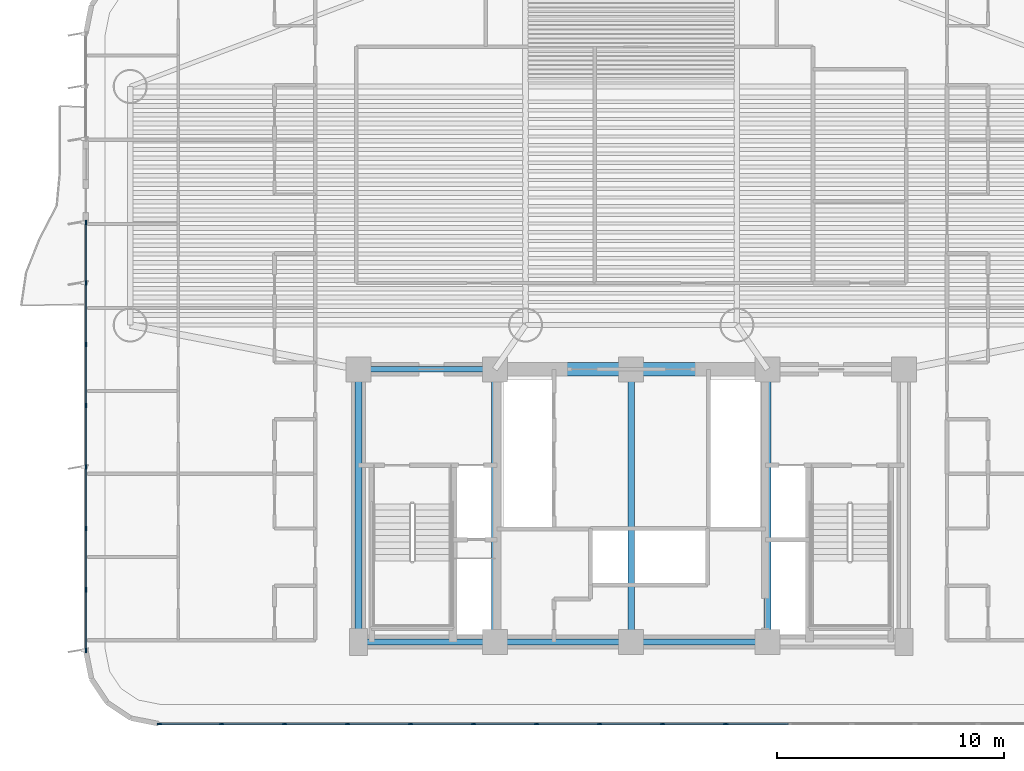
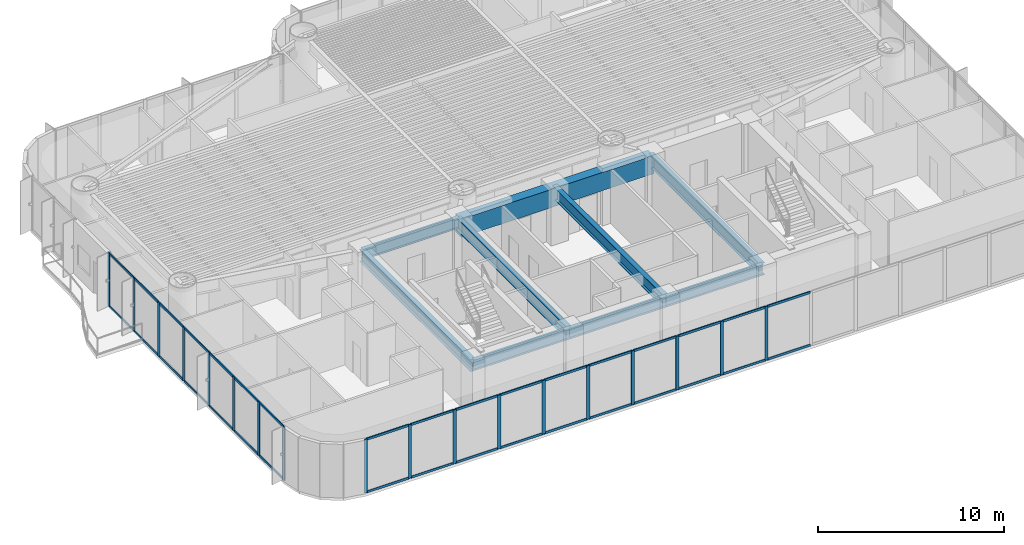
# One storey, part 2 of 19: 52 members, 9 beams, 2 elements without a shape of their own.
"""IFC4 building model written with IfcOpenShell, lengths in metres."""

from ifc_helpers import new_model, si_unit, direction, frame, origin, origin_2d, place, context, subcontext, project, spatial, rectangle, i_section, extrude, source, transform, mapped, material, layer, layer_set, material_profile, profile_set, type_object, element, aggregate, save


model = new_model("IFC4")

# Units and contexts
model_context = context("Model", 3, precision=1e-05, world=origin(), true_north=direction((0.0, 1.0)))
body_context = subcontext(model_context, "Body", "Model", "MODEL_VIEW")
ifc_project = project(units=[si_unit("LENGTHUNIT", "METRE"), si_unit("AREAUNIT", "SQUARE_METRE"), si_unit("VOLUMEUNIT", "CUBIC_METRE"), si_unit("PLANEANGLEUNIT", "RADIAN"), si_unit("MASSUNIT", "GRAM", prefix="KILO")], contexts=[model_context])

# Site, building, storey
site_placement = place(None, origin())
site = spatial("IfcSite", under=ifc_project, at=site_placement, CompositionType="ELEMENT")
building_placement = place(site_placement, origin())
building = spatial("IfcBuilding", under=site, at=building_placement, Name="Brelvock Crest Care Tower", CompositionType="ELEMENT")
storey_placement = place(building_placement, frame((0.0, 0.0, 30.780029296875)))
storey = spatial("IfcBuildingStorey", under=building, at=storey_placement, Name="L07", CompositionType="ELEMENT", Elevation=30.780029296875)

# Beams
ifc_material_1 = material(Name="Concrete S80 (80 MPa)", Category="concrete")
ifc_material_profile_1 = material_profile(ifc_material_1, rectangle(XDim=0.60009765625, YDim=1.199951171875, at=origin_2d()), Name="RC600x1200")
ifc_profile_set_1 = profile_set([ifc_material_profile_1], Name="Concrete S80 (80 MPa)")
beam_type_1 = type_object("IfcBeamType", Name="BM-LN1", PredefinedType="LINTEL", material=ifc_profile_set_1)
shared_shape_1 = source(origin(), body_context, "Body", "SweptSolid", [
    extrude(rectangle(XDim=0.60009765625, YDim=1.199951171875, at=origin_2d()), origin(), (0.0, 0.0, 1.0), 12.0),
])
beam_placement = place(storey_placement, frame((30.0, 18.0, 2.929931640625), z_axis=(1.0, 0.0, 0.0), x_axis=(0.0, 1.0, 0.0)))
element("IfcBeam", 1, at=beam_placement, inside=storey, type_object=beam_type_1, Name="L07 Core Coupling Lintel Beam", PredefinedType="LINTEL", context=body_context, shape_type="MappedRepresentation", body=[
    mapped(shared_shape_1, transform((0.0, 0.0, 0.0), x_axis=(1.0, 0.0, 0.0), y_axis=(0.0, 1.0, 0.0), z_axis=(0.0, 0.0, 1.0), scale=1.0)),
])
ifc_material_2 = material(Name="Steel Grade 350", Category="steel")
ifc_material_profile_2 = material_profile(ifc_material_2, i_section(OverallWidth=0.25, OverallDepth=0.699951171875, WebThickness=0.011962890625, FlangeThickness=0.02001953125, at=origin_2d()), Name="700WB150")
ifc_profile_set_2 = profile_set([ifc_material_profile_2], Name="Steel Grade 350")
beam_type_2 = type_object("IfcBeamType", Name="BM-G4", PredefinedType="BEAM", material=ifc_profile_set_2)
shared_shape_2 = source(origin(), body_context, "Body", "SweptSolid", [
    extrude(i_section(OverallWidth=0.25, OverallDepth=0.699951171875, WebThickness=0.011962890625, FlangeThickness=0.02001953125, at=origin_2d()), origin(), (0.0, 0.0, 1.0), 6.0),
])
for number, where, z_axis, x_axis, name in (
    (2, (24.0, 6.0, 3.179931640625), (1.0, 0.0, 0.0), (0.0, 1.0, 0.0), "BM-CORES-L07-1"),
    (3, (24.0, 18.0, 3.179931640625), (1.0, 0.0, 0.0), (0.0, 1.0, 0.0), "BM-COREN-L07-1"),
    (4, (30.0, 6.0, 3.179931640625), (1.0, 0.0, 0.0), (0.0, 1.0, 0.0), "BM-CORES-L07-2"),
    (5, (36.0, 6.0, 3.179931640625), (1.0, 0.0, 0.0), (0.0, 1.0, 0.0), "BM-CORES-L07-3"),
):
    element("IfcBeam", number, at=place(storey_placement, frame(where, z_axis=z_axis, x_axis=x_axis)), inside=storey, type_object=beam_type_2, Name=name, PredefinedType="BEAM", context=body_context, shape_type="MappedRepresentation", body=[
        mapped(shared_shape_2, transform((0.0, 0.0, 0.0), x_axis=(1.0, 0.0, 0.0), y_axis=(0.0, 1.0, 0.0), z_axis=(0.0, 0.0, 1.0), scale=1.0)),
    ])
ifc_material_profile_3 = material_profile(ifc_material_2, i_section(OverallWidth=0.300048828125, OverallDepth=0.800048828125, WebThickness=0.013916015625, FlangeThickness=0.02197265625, at=origin_2d()), Name="800WB192")
ifc_profile_set_3 = profile_set([ifc_material_profile_3], Name="Steel Grade 350")
beam_type_3 = type_object("IfcBeamType", Name="BM-G5", PredefinedType="BEAM", material=ifc_profile_set_3)
shared_shape_3 = source(origin(), body_context, "Body", "SweptSolid", [
    extrude(i_section(OverallWidth=0.300048828125, OverallDepth=0.800048828125, WebThickness=0.013916015625, FlangeThickness=0.02197265625, at=origin_2d()), origin(), (0.0, 0.0, 1.0), 12.0),
])
for number, where, z_axis, x_axis, name in (
    (6, (24.0, 6.0, 3.1298828125), (0.0, 1.0, 0.0), (-1.0, 0.0, 0.0), "BM-COREX-L07-1"),
    (7, (30.0, 6.0, 3.1298828125), (0.0, 1.0, 0.0), (-1.0, 0.0, 0.0), "BM-COREX-L07-2"),
    (8, (36.0, 6.0, 3.1298828125), (0.0, 1.0, 0.0), (-1.0, 0.0, 0.0), "BM-COREX-L07-3"),
    (9, (42.0, 6.0, 3.1298828125), (0.0, 1.0, 0.0), (-1.0, 0.0, 0.0), "BM-COREX-L07-4"),
):
    element("IfcBeam", number, at=place(storey_placement, frame(where, z_axis=z_axis, x_axis=x_axis)), inside=storey, type_object=beam_type_3, Name=name, PredefinedType="BEAM", context=body_context, shape_type="MappedRepresentation", body=[
        mapped(shared_shape_3, transform((0.0, 0.0, 0.0), x_axis=(1.0, 0.0, 0.0), y_axis=(0.0, 1.0, 0.0), z_axis=(0.0, 0.0, 1.0), scale=1.0)),
    ])

# Curtain wall, members
ifc_material_3 = material(Name="Dark Glass Double Glazed Low-E", Category="glass")
ifc_layer = layer(ifc_material_3, 0.195068359375, Name="CWS-2")
ifc_layer_set = layer_set([ifc_layer], Name="Dark Glass Double Glazed Low-E")
curtain_wall_type = type_object("IfcCurtainWallType", Name="CWS-2", PredefinedType="NOTDEFINED", material=ifc_layer_set)
curtain_wall_1_placement = place(storey_placement, origin())
curtain_wall_1 = element("IfcCurtainWall", 10, at=curtain_wall_1_placement, inside=storey, type_object=curtain_wall_type, Name="L07 Curtain Wall E08", PredefinedType="NOTDEFINED")
ifc_material_4 = material(Name="Aluminium 6063-T6", Category="aluminium")
ifc_material_profile_4 = material_profile(ifc_material_4, rectangle(XDim=0.06494140625, YDim=0.199951171875, at=origin_2d()), Name="ALU65x200")
ifc_profile_set_4 = profile_set([ifc_material_profile_4], Name="Aluminium 6063-T6")
member_type_1 = type_object("IfcMemberType", Name="CWM-1", PredefinedType="MULLION", material=ifc_profile_set_4)
shared_shape_4 = source(origin(), body_context, "Body", "SweptSolid", [
    extrude(rectangle(XDim=0.06494140625, YDim=0.199951171875, at=origin_2d()), origin(), (0.0, 0.0, 1.0), 3.530029296875),
])
member_1_placement = place(storey_placement, frame((40.159912109375, 2.39990234375, 0.0), z_axis=(0.0, 0.0, 1.0), x_axis=(0.0, -1.0, 0.0)))
member_1 = element("IfcMember", 11, at=member_1_placement, type_object=member_type_1, Name="CW-2 mullion 7", PredefinedType="MULLION", context=body_context, shape_type="MappedRepresentation", body=[
    mapped(shared_shape_4, transform((0.0, 0.0, 0.0), x_axis=(1.0, 0.0, 0.0), y_axis=(0.0, 1.0, 0.0), z_axis=(0.0, 0.0, 1.0), scale=1.0)),
])
member_2_placement = place(storey_placement, frame((37.38671875, 2.39990234375, 0.0), z_axis=(0.0, 0.0, 1.0), x_axis=(0.0, -1.0, 0.0)))
member_2 = element("IfcMember", 12, at=member_2_placement, type_object=member_type_1, Name="CW-2 mullion 8", PredefinedType="MULLION", context=body_context, shape_type="MappedRepresentation", body=[
    mapped(shared_shape_4, transform((0.0, 0.0, 0.0), x_axis=(1.0, 0.0, 0.0), y_axis=(0.0, 1.0, 0.0), z_axis=(0.0, 0.0, 1.0), scale=1.0)),
])
member_3_placement = place(storey_placement, frame((34.61328125, 2.39990234375, 0.0), z_axis=(0.0, 0.0, 1.0), x_axis=(0.0, -1.0, 0.0)))
member_3 = element("IfcMember", 13, at=member_3_placement, type_object=member_type_1, Name="CW-2 mullion 9", PredefinedType="MULLION", context=body_context, shape_type="MappedRepresentation", body=[
    mapped(shared_shape_4, transform((0.0, 0.0, 0.0), x_axis=(1.0, 0.0, 0.0), y_axis=(0.0, 1.0, 0.0), z_axis=(0.0, 0.0, 1.0), scale=1.0)),
])
member_4_placement = place(storey_placement, frame((31.840087890625, 2.39990234375, 0.0), z_axis=(0.0, 0.0, 1.0), x_axis=(0.0, -1.0, 0.0)))
member_4 = element("IfcMember", 14, at=member_4_placement, type_object=member_type_1, Name="CW-2 mullion 10", PredefinedType="MULLION", context=body_context, shape_type="MappedRepresentation", body=[
    mapped(shared_shape_4, transform((0.0, 0.0, 0.0), x_axis=(1.0, 0.0, 0.0), y_axis=(0.0, 1.0, 0.0), z_axis=(0.0, 0.0, 1.0), scale=1.0)),
])
member_5_placement = place(storey_placement, frame((29.066650390625, 2.39990234375, 0.0), z_axis=(0.0, 0.0, 1.0), x_axis=(0.0, -1.0, 0.0)))
member_5 = element("IfcMember", 15, at=member_5_placement, type_object=member_type_1, Name="CW-2 mullion 11", PredefinedType="MULLION", context=body_context, shape_type="MappedRepresentation", body=[
    mapped(shared_shape_4, transform((0.0, 0.0, 0.0), x_axis=(1.0, 0.0, 0.0), y_axis=(0.0, 1.0, 0.0), z_axis=(0.0, 0.0, 1.0), scale=1.0)),
])
member_6_placement = place(storey_placement, frame((26.293212890625, 2.39990234375, 0.0), z_axis=(0.0, 0.0, 1.0), x_axis=(0.0, -1.0, 0.0)))
member_6 = element("IfcMember", 16, at=member_6_placement, type_object=member_type_1, Name="CW-2 mullion 12", PredefinedType="MULLION", context=body_context, shape_type="MappedRepresentation", body=[
    mapped(shared_shape_4, transform((0.0, 0.0, 0.0), x_axis=(1.0, 0.0, 0.0), y_axis=(0.0, 1.0, 0.0), z_axis=(0.0, 0.0, 1.0), scale=1.0)),
])
member_7_placement = place(storey_placement, frame((23.52001953125, 2.39990234375, 0.0), z_axis=(0.0, 0.0, 1.0), x_axis=(0.0, -1.0, 0.0)))
member_7 = element("IfcMember", 17, at=member_7_placement, type_object=member_type_1, Name="CW-2 mullion 13", PredefinedType="MULLION", context=body_context, shape_type="MappedRepresentation", body=[
    mapped(shared_shape_4, transform((0.0, 0.0, 0.0), x_axis=(1.0, 0.0, 0.0), y_axis=(0.0, 1.0, 0.0), z_axis=(0.0, 0.0, 1.0), scale=1.0)),
])
member_8_placement = place(storey_placement, frame((20.74658203125, 2.39990234375, 0.0), z_axis=(0.0, 0.0, 1.0), x_axis=(0.0, -1.0, 0.0)))
member_8 = element("IfcMember", 18, at=member_8_placement, type_object=member_type_1, Name="CW-2 mullion 14", PredefinedType="MULLION", context=body_context, shape_type="MappedRepresentation", body=[
    mapped(shared_shape_4, transform((0.0, 0.0, 0.0), x_axis=(1.0, 0.0, 0.0), y_axis=(0.0, 1.0, 0.0), z_axis=(0.0, 0.0, 1.0), scale=1.0)),
])
member_9_placement = place(storey_placement, frame((17.973388671875, 2.39990234375, 0.0), z_axis=(0.0, 0.0, 1.0), x_axis=(0.0, -1.0, 0.0)))
member_9 = element("IfcMember", 19, at=member_9_placement, type_object=member_type_1, Name="CW-2 mullion 15", PredefinedType="MULLION", context=body_context, shape_type="MappedRepresentation", body=[
    mapped(shared_shape_4, transform((0.0, 0.0, 0.0), x_axis=(1.0, 0.0, 0.0), y_axis=(0.0, 1.0, 0.0), z_axis=(0.0, 0.0, 1.0), scale=1.0)),
])
member_10_placement = place(storey_placement, frame((15.232421875, 2.39990234375, 0.0), z_axis=(0.0, 0.0, 1.0), x_axis=(0.0, -1.0, 0.0)))
member_10 = element("IfcMember", 20, at=member_10_placement, type_object=member_type_1, Name="CW-2 mullion 16", PredefinedType="MULLION", context=body_context, shape_type="MappedRepresentation", body=[
    mapped(shared_shape_4, transform((0.0, 0.0, 0.0), x_axis=(1.0, 0.0, 0.0), y_axis=(0.0, 1.0, 0.0), z_axis=(0.0, 0.0, 1.0), scale=1.0)),
])

curtain_wall_2_placement = place(storey_placement, origin())
curtain_wall_2 = element("IfcCurtainWall", 21, at=curtain_wall_2_placement, inside=storey, type_object=curtain_wall_type, Name="L07 Curtain Wall E13A", PredefinedType="NOTDEFINED")
member_11_placement = place(storey_placement, frame((12.0, 5.632568359375, 0.0), z_axis=(0.0, 0.0, 1.0), x_axis=(-1.0, 0.0, 0.0)))
member_11 = element("IfcMember", 22, at=member_11_placement, type_object=member_type_1, Name="CW-2 mullion 1", PredefinedType="MULLION", context=body_context, shape_type="MappedRepresentation", body=[
    mapped(shared_shape_4, transform((0.0, 0.0, 0.0), x_axis=(1.0, 0.0, 0.0), y_axis=(0.0, 1.0, 0.0), z_axis=(0.0, 0.0, 1.0), scale=1.0)),
])
member_12_placement = place(storey_placement, frame((12.0, 8.300048828125, 0.0), z_axis=(0.0, 0.0, 1.0), x_axis=(-1.0, 0.0, 0.0)))
member_12 = element("IfcMember", 23, at=member_12_placement, type_object=member_type_1, Name="CW-2 mullion 2", PredefinedType="MULLION", context=body_context, shape_type="MappedRepresentation", body=[
    mapped(shared_shape_4, transform((0.0, 0.0, 0.0), x_axis=(1.0, 0.0, 0.0), y_axis=(0.0, 1.0, 0.0), z_axis=(0.0, 0.0, 1.0), scale=1.0)),
])
member_13_placement = place(storey_placement, frame((12.0, 11.0, 0.0), z_axis=(0.0, 0.0, 1.0), x_axis=(-1.0, 0.0, 0.0)))
member_13 = element("IfcMember", 24, at=member_13_placement, type_object=member_type_1, Name="CW-2 mullion 3", PredefinedType="MULLION", context=body_context, shape_type="MappedRepresentation", body=[
    mapped(shared_shape_4, transform((0.0, 0.0, 0.0), x_axis=(1.0, 0.0, 0.0), y_axis=(0.0, 1.0, 0.0), z_axis=(0.0, 0.0, 1.0), scale=1.0)),
])
member_14_placement = place(storey_placement, frame((12.0, 13.699951171875, 0.0), z_axis=(0.0, 0.0, 1.0), x_axis=(-1.0, 0.0, 0.0)))
member_14 = element("IfcMember", 25, at=member_14_placement, type_object=member_type_1, Name="CW-2 mullion 4", PredefinedType="MULLION", context=body_context, shape_type="MappedRepresentation", body=[
    mapped(shared_shape_4, transform((0.0, 0.0, 0.0), x_axis=(1.0, 0.0, 0.0), y_axis=(0.0, 1.0, 0.0), z_axis=(0.0, 0.0, 1.0), scale=1.0)),
])
member_15_placement = place(storey_placement, frame((12.0, 16.39990234375, 0.0), z_axis=(0.0, 0.0, 1.0), x_axis=(-1.0, 0.0, 0.0)))
member_15 = element("IfcMember", 26, at=member_15_placement, type_object=member_type_1, Name="CW-2 mullion 5", PredefinedType="MULLION", context=body_context, shape_type="MappedRepresentation", body=[
    mapped(shared_shape_4, transform((0.0, 0.0, 0.0), x_axis=(1.0, 0.0, 0.0), y_axis=(0.0, 1.0, 0.0), z_axis=(0.0, 0.0, 1.0), scale=1.0)),
])
member_16_placement = place(storey_placement, frame((12.0, 19.10009765625, 0.0), z_axis=(0.0, 0.0, 1.0), x_axis=(-1.0, 0.0, 0.0)))
member_16 = element("IfcMember", 27, at=member_16_placement, type_object=member_type_1, Name="CW-2 mullion 6", PredefinedType="MULLION", context=body_context, shape_type="MappedRepresentation", body=[
    mapped(shared_shape_4, transform((0.0, 0.0, 0.0), x_axis=(1.0, 0.0, 0.0), y_axis=(0.0, 1.0, 0.0), z_axis=(0.0, 0.0, 1.0), scale=1.0)),
])
member_17_placement = place(storey_placement, frame((12.0, 21.800048828125, 0.0), z_axis=(0.0, 0.0, 1.0), x_axis=(-1.0, 0.0, 0.0)))
member_17 = element("IfcMember", 28, at=member_17_placement, type_object=member_type_1, Name="CW-2 mullion 7", PredefinedType="MULLION", context=body_context, shape_type="MappedRepresentation", body=[
    mapped(shared_shape_4, transform((0.0, 0.0, 0.0), x_axis=(1.0, 0.0, 0.0), y_axis=(0.0, 1.0, 0.0), z_axis=(0.0, 0.0, 1.0), scale=1.0)),
])
member_18_placement = place(storey_placement, frame((12.0, 24.467529296875, 0.0), z_axis=(0.0, 0.0, 1.0), x_axis=(-1.0, 0.0, 0.0)))
member_18 = element("IfcMember", 29, at=member_18_placement, type_object=member_type_1, Name="CW-2 mullion 8", PredefinedType="MULLION", context=body_context, shape_type="MappedRepresentation", body=[
    mapped(shared_shape_4, transform((0.0, 0.0, 0.0), x_axis=(1.0, 0.0, 0.0), y_axis=(0.0, 1.0, 0.0), z_axis=(0.0, 0.0, 1.0), scale=1.0)),
])

# Member
ifc_material_profile_5 = material_profile(ifc_material_4, rectangle(XDim=0.06494140625, YDim=0.14990234375, at=origin_2d()), Name="ALU65x150")
ifc_profile_set_5 = profile_set([ifc_material_profile_5], Name="Aluminium 6063-T6")
member_type_2 = type_object("IfcMemberType", Name="CWT-1", PredefinedType="USERDEFINED", material=ifc_profile_set_5)
shared_shape_5 = source(origin(), body_context, "Body", "SweptSolid", [
    extrude(rectangle(XDim=0.06494140625, YDim=0.14990234375, at=origin_2d()), origin(), (0.0, 0.0, 1.0), 2.676025390625),
])
member_19_placement = place(storey_placement, frame((17.94091796875, 2.39990234375, 0.032470703125), z_axis=(-1.0, 0.0, 0.0), x_axis=(0.0, -1.0, 0.0)))
member_19 = element("IfcMember", 30, at=member_19_placement, type_object=member_type_2, Name="CW-2 transom 15.1", ObjectType="TRANSOM", PredefinedType="USERDEFINED", context=body_context, shape_type="MappedRepresentation", body=[
    mapped(shared_shape_5, transform((0.0, 0.0, 0.0), x_axis=(1.0, 0.0, 0.0), y_axis=(0.0, 1.0, 0.0), z_axis=(0.0, 0.0, 1.0), scale=1.0)),
])

member_20_placement = place(storey_placement, frame((17.94091796875, 2.39990234375, 3.49755859375), z_axis=(-1.0, 0.0, 0.0), x_axis=(0.0, -1.0, 0.0)))
member_20 = element("IfcMember", 31, at=member_20_placement, type_object=member_type_2, Name="CW-2 transom 15.2", ObjectType="TRANSOM", PredefinedType="USERDEFINED", context=body_context, shape_type="MappedRepresentation", body=[
    mapped(shared_shape_5, transform((0.0, 0.0, 0.0), x_axis=(1.0, 0.0, 0.0), y_axis=(0.0, 1.0, 0.0), z_axis=(0.0, 0.0, 1.0), scale=1.0)),
])

shared_shape_6 = source(origin(), body_context, "Body", "SweptSolid", [
    extrude(rectangle(XDim=0.06494140625, YDim=0.14990234375, at=origin_2d()), origin(), (0.0, 0.0, 1.0), 2.708251953125),
])
member_21_placement = place(storey_placement, frame((40.12744140625, 2.39990234375, 0.032470703125), z_axis=(-1.0, 0.0, 0.0), x_axis=(0.0, -1.0, 0.0)))
member_21 = element("IfcMember", 32, at=member_21_placement, type_object=member_type_2, Name="CW-2 transom 7.1", ObjectType="TRANSOM", PredefinedType="USERDEFINED", context=body_context, shape_type="MappedRepresentation", body=[
    mapped(shared_shape_6, transform((0.0, 0.0, 0.0), x_axis=(1.0, 0.0, 0.0), y_axis=(0.0, 1.0, 0.0), z_axis=(0.0, 0.0, 1.0), scale=1.0)),
])

member_22_placement = place(storey_placement, frame((40.12744140625, 2.39990234375, 3.49755859375), z_axis=(-1.0, 0.0, 0.0), x_axis=(0.0, -1.0, 0.0)))
member_22 = element("IfcMember", 33, at=member_22_placement, type_object=member_type_2, Name="CW-2 transom 7.2", ObjectType="TRANSOM", PredefinedType="USERDEFINED", context=body_context, shape_type="MappedRepresentation", body=[
    mapped(shared_shape_6, transform((0.0, 0.0, 0.0), x_axis=(1.0, 0.0, 0.0), y_axis=(0.0, 1.0, 0.0), z_axis=(0.0, 0.0, 1.0), scale=1.0)),
])

member_23_placement = place(storey_placement, frame((34.580810546875, 2.39990234375, 0.032470703125), z_axis=(-1.0, 0.0, 0.0), x_axis=(0.0, -1.0, 0.0)))
member_23 = element("IfcMember", 34, at=member_23_placement, type_object=member_type_2, Name="CW-2 transom 9.1", ObjectType="TRANSOM", PredefinedType="USERDEFINED", context=body_context, shape_type="MappedRepresentation", body=[
    mapped(shared_shape_6, transform((0.0, 0.0, 0.0), x_axis=(1.0, 0.0, 0.0), y_axis=(0.0, 1.0, 0.0), z_axis=(0.0, 0.0, 1.0), scale=1.0)),
])

member_24_placement = place(storey_placement, frame((34.580810546875, 2.39990234375, 3.49755859375), z_axis=(-1.0, 0.0, 0.0), x_axis=(0.0, -1.0, 0.0)))
member_24 = element("IfcMember", 35, at=member_24_placement, type_object=member_type_2, Name="CW-2 transom 9.2", ObjectType="TRANSOM", PredefinedType="USERDEFINED", context=body_context, shape_type="MappedRepresentation", body=[
    mapped(shared_shape_6, transform((0.0, 0.0, 0.0), x_axis=(1.0, 0.0, 0.0), y_axis=(0.0, 1.0, 0.0), z_axis=(0.0, 0.0, 1.0), scale=1.0)),
])

member_25_placement = place(storey_placement, frame((29.0341796875, 2.39990234375, 0.032470703125), z_axis=(-1.0, 0.0, 0.0), x_axis=(0.0, -1.0, 0.0)))
member_25 = element("IfcMember", 36, at=member_25_placement, type_object=member_type_2, Name="CW-2 transom 11.1", ObjectType="TRANSOM", PredefinedType="USERDEFINED", context=body_context, shape_type="MappedRepresentation", body=[
    mapped(shared_shape_6, transform((0.0, 0.0, 0.0), x_axis=(1.0, 0.0, 0.0), y_axis=(0.0, 1.0, 0.0), z_axis=(0.0, 0.0, 1.0), scale=1.0)),
])

member_26_placement = place(storey_placement, frame((29.0341796875, 2.39990234375, 3.49755859375), z_axis=(-1.0, 0.0, 0.0), x_axis=(0.0, -1.0, 0.0)))
member_26 = element("IfcMember", 37, at=member_26_placement, type_object=member_type_2, Name="CW-2 transom 11.2", ObjectType="TRANSOM", PredefinedType="USERDEFINED", context=body_context, shape_type="MappedRepresentation", body=[
    mapped(shared_shape_6, transform((0.0, 0.0, 0.0), x_axis=(1.0, 0.0, 0.0), y_axis=(0.0, 1.0, 0.0), z_axis=(0.0, 0.0, 1.0), scale=1.0)),
])

member_27_placement = place(storey_placement, frame((26.2607421875, 2.39990234375, 0.032470703125), z_axis=(-1.0, 0.0, 0.0), x_axis=(0.0, -1.0, 0.0)))
member_27 = element("IfcMember", 38, at=member_27_placement, type_object=member_type_2, Name="CW-2 transom 12.1", ObjectType="TRANSOM", PredefinedType="USERDEFINED", context=body_context, shape_type="MappedRepresentation", body=[
    mapped(shared_shape_6, transform((0.0, 0.0, 0.0), x_axis=(1.0, 0.0, 0.0), y_axis=(0.0, 1.0, 0.0), z_axis=(0.0, 0.0, 1.0), scale=1.0)),
])

member_28_placement = place(storey_placement, frame((26.2607421875, 2.39990234375, 3.49755859375), z_axis=(-1.0, 0.0, 0.0), x_axis=(0.0, -1.0, 0.0)))
member_28 = element("IfcMember", 39, at=member_28_placement, type_object=member_type_2, Name="CW-2 transom 12.2", ObjectType="TRANSOM", PredefinedType="USERDEFINED", context=body_context, shape_type="MappedRepresentation", body=[
    mapped(shared_shape_6, transform((0.0, 0.0, 0.0), x_axis=(1.0, 0.0, 0.0), y_axis=(0.0, 1.0, 0.0), z_axis=(0.0, 0.0, 1.0), scale=1.0)),
])

member_29_placement = place(storey_placement, frame((20.714111328125, 2.39990234375, 0.032470703125), z_axis=(-1.0, 0.0, 0.0), x_axis=(0.0, -1.0, 0.0)))
member_29 = element("IfcMember", 40, at=member_29_placement, type_object=member_type_2, Name="CW-2 transom 14.1", ObjectType="TRANSOM", PredefinedType="USERDEFINED", context=body_context, shape_type="MappedRepresentation", body=[
    mapped(shared_shape_6, transform((0.0, 0.0, 0.0), x_axis=(1.0, 0.0, 0.0), y_axis=(0.0, 1.0, 0.0), z_axis=(0.0, 0.0, 1.0), scale=1.0)),
])

member_30_placement = place(storey_placement, frame((20.714111328125, 2.39990234375, 3.49755859375), z_axis=(-1.0, 0.0, 0.0), x_axis=(0.0, -1.0, 0.0)))
member_30 = element("IfcMember", 41, at=member_30_placement, type_object=member_type_2, Name="CW-2 transom 14.2", ObjectType="TRANSOM", PredefinedType="USERDEFINED", context=body_context, shape_type="MappedRepresentation", body=[
    mapped(shared_shape_6, transform((0.0, 0.0, 0.0), x_axis=(1.0, 0.0, 0.0), y_axis=(0.0, 1.0, 0.0), z_axis=(0.0, 0.0, 1.0), scale=1.0)),
])

shared_shape_7 = source(origin(), body_context, "Body", "SweptSolid", [
    extrude(rectangle(XDim=0.06494140625, YDim=0.14990234375, at=origin_2d()), origin(), (0.0, 0.0, 1.0), 2.70849609375),
])
member_31_placement = place(storey_placement, frame((42.90087890625, 2.39990234375, 0.032470703125), z_axis=(-1.0, 0.0, 0.0), x_axis=(0.0, -1.0, 0.0)))
member_31 = element("IfcMember", 42, at=member_31_placement, type_object=member_type_2, Name="CW-2 transom 6.1", ObjectType="TRANSOM", PredefinedType="USERDEFINED", context=body_context, shape_type="MappedRepresentation", body=[
    mapped(shared_shape_7, transform((0.0, 0.0, 0.0), x_axis=(1.0, 0.0, 0.0), y_axis=(0.0, 1.0, 0.0), z_axis=(0.0, 0.0, 1.0), scale=1.0)),
])

member_32_placement = place(storey_placement, frame((42.90087890625, 2.39990234375, 3.49755859375), z_axis=(-1.0, 0.0, 0.0), x_axis=(0.0, -1.0, 0.0)))
member_32 = element("IfcMember", 43, at=member_32_placement, type_object=member_type_2, Name="CW-2 transom 6.2", ObjectType="TRANSOM", PredefinedType="USERDEFINED", context=body_context, shape_type="MappedRepresentation", body=[
    mapped(shared_shape_7, transform((0.0, 0.0, 0.0), x_axis=(1.0, 0.0, 0.0), y_axis=(0.0, 1.0, 0.0), z_axis=(0.0, 0.0, 1.0), scale=1.0)),
])

member_33_placement = place(storey_placement, frame((37.354248046875, 2.39990234375, 0.032470703125), z_axis=(-1.0, 0.0, 0.0), x_axis=(0.0, -1.0, 0.0)))
member_33 = element("IfcMember", 44, at=member_33_placement, type_object=member_type_2, Name="CW-2 transom 8.1", ObjectType="TRANSOM", PredefinedType="USERDEFINED", context=body_context, shape_type="MappedRepresentation", body=[
    mapped(shared_shape_7, transform((0.0, 0.0, 0.0), x_axis=(1.0, 0.0, 0.0), y_axis=(0.0, 1.0, 0.0), z_axis=(0.0, 0.0, 1.0), scale=1.0)),
])

member_34_placement = place(storey_placement, frame((37.354248046875, 2.39990234375, 3.49755859375), z_axis=(-1.0, 0.0, 0.0), x_axis=(0.0, -1.0, 0.0)))
member_34 = element("IfcMember", 45, at=member_34_placement, type_object=member_type_2, Name="CW-2 transom 8.2", ObjectType="TRANSOM", PredefinedType="USERDEFINED", context=body_context, shape_type="MappedRepresentation", body=[
    mapped(shared_shape_7, transform((0.0, 0.0, 0.0), x_axis=(1.0, 0.0, 0.0), y_axis=(0.0, 1.0, 0.0), z_axis=(0.0, 0.0, 1.0), scale=1.0)),
])

member_35_placement = place(storey_placement, frame((31.8076171875, 2.39990234375, 0.032470703125), z_axis=(-1.0, 0.0, 0.0), x_axis=(0.0, -1.0, 0.0)))
member_35 = element("IfcMember", 46, at=member_35_placement, type_object=member_type_2, Name="CW-2 transom 10.1", ObjectType="TRANSOM", PredefinedType="USERDEFINED", context=body_context, shape_type="MappedRepresentation", body=[
    mapped(shared_shape_7, transform((0.0, 0.0, 0.0), x_axis=(1.0, 0.0, 0.0), y_axis=(0.0, 1.0, 0.0), z_axis=(0.0, 0.0, 1.0), scale=1.0)),
])

member_36_placement = place(storey_placement, frame((31.8076171875, 2.39990234375, 3.49755859375), z_axis=(-1.0, 0.0, 0.0), x_axis=(0.0, -1.0, 0.0)))
member_36 = element("IfcMember", 47, at=member_36_placement, type_object=member_type_2, Name="CW-2 transom 10.2", ObjectType="TRANSOM", PredefinedType="USERDEFINED", context=body_context, shape_type="MappedRepresentation", body=[
    mapped(shared_shape_7, transform((0.0, 0.0, 0.0), x_axis=(1.0, 0.0, 0.0), y_axis=(0.0, 1.0, 0.0), z_axis=(0.0, 0.0, 1.0), scale=1.0)),
])

member_37_placement = place(storey_placement, frame((23.487548828125, 2.39990234375, 0.032470703125), z_axis=(-1.0, 0.0, 0.0), x_axis=(0.0, -1.0, 0.0)))
member_37 = element("IfcMember", 48, at=member_37_placement, type_object=member_type_2, Name="CW-2 transom 13.1", ObjectType="TRANSOM", PredefinedType="USERDEFINED", context=body_context, shape_type="MappedRepresentation", body=[
    mapped(shared_shape_7, transform((0.0, 0.0, 0.0), x_axis=(1.0, 0.0, 0.0), y_axis=(0.0, 1.0, 0.0), z_axis=(0.0, 0.0, 1.0), scale=1.0)),
])

member_38_placement = place(storey_placement, frame((23.487548828125, 2.39990234375, 3.49755859375), z_axis=(-1.0, 0.0, 0.0), x_axis=(0.0, -1.0, 0.0)))
member_38 = element("IfcMember", 49, at=member_38_placement, type_object=member_type_2, Name="CW-2 transom 13.2", ObjectType="TRANSOM", PredefinedType="USERDEFINED", context=body_context, shape_type="MappedRepresentation", body=[
    mapped(shared_shape_7, transform((0.0, 0.0, 0.0), x_axis=(1.0, 0.0, 0.0), y_axis=(0.0, 1.0, 0.0), z_axis=(0.0, 0.0, 1.0), scale=1.0)),
])

aggregate(curtain_wall_1, [member_1, member_2, member_3, member_4, member_5, member_6, member_7, member_8, member_9, member_10, member_31, member_32, member_21, member_22, member_33, member_34, member_23, member_24, member_35, member_36, member_25, member_26, member_27, member_28, member_37, member_38, member_29, member_30, member_19, member_20])

shared_shape_8 = source(origin(), body_context, "Body", "SweptSolid", [
    extrude(rectangle(XDim=0.06494140625, YDim=0.14990234375, at=origin_2d()), origin(), (0.0, 0.0, 1.0), 2.6025390625),
])
member_39_placement = place(storey_placement, frame((12.0, 5.6650390625, 0.032470703125), z_axis=(0.0, 1.0, 0.0), x_axis=(-1.0, 0.0, 0.0)))
member_39 = element("IfcMember", 50, at=member_39_placement, type_object=member_type_2, Name="CW-2 transom 1.1", ObjectType="TRANSOM", PredefinedType="USERDEFINED", context=body_context, shape_type="MappedRepresentation", body=[
    mapped(shared_shape_8, transform((0.0, 0.0, 0.0), x_axis=(1.0, 0.0, 0.0), y_axis=(0.0, 1.0, 0.0), z_axis=(0.0, 0.0, 1.0), scale=1.0)),
])

member_40_placement = place(storey_placement, frame((12.0, 5.6650390625, 3.49755859375), z_axis=(0.0, 1.0, 0.0), x_axis=(-1.0, 0.0, 0.0)))
member_40 = element("IfcMember", 51, at=member_40_placement, type_object=member_type_2, Name="CW-2 transom 1.2", ObjectType="TRANSOM", PredefinedType="USERDEFINED", context=body_context, shape_type="MappedRepresentation", body=[
    mapped(shared_shape_8, transform((0.0, 0.0, 0.0), x_axis=(1.0, 0.0, 0.0), y_axis=(0.0, 1.0, 0.0), z_axis=(0.0, 0.0, 1.0), scale=1.0)),
])

member_41_placement = place(storey_placement, frame((12.0, 21.83251953125, 0.032470703125), z_axis=(0.0, 1.0, 0.0), x_axis=(-1.0, 0.0, 0.0)))
member_41 = element("IfcMember", 52, at=member_41_placement, type_object=member_type_2, Name="CW-2 transom 7.1", ObjectType="TRANSOM", PredefinedType="USERDEFINED", context=body_context, shape_type="MappedRepresentation", body=[
    mapped(shared_shape_8, transform((0.0, 0.0, 0.0), x_axis=(1.0, 0.0, 0.0), y_axis=(0.0, 1.0, 0.0), z_axis=(0.0, 0.0, 1.0), scale=1.0)),
])

member_42_placement = place(storey_placement, frame((12.0, 21.83251953125, 3.49755859375), z_axis=(0.0, 1.0, 0.0), x_axis=(-1.0, 0.0, 0.0)))
member_42 = element("IfcMember", 53, at=member_42_placement, type_object=member_type_2, Name="CW-2 transom 7.2", ObjectType="TRANSOM", PredefinedType="USERDEFINED", context=body_context, shape_type="MappedRepresentation", body=[
    mapped(shared_shape_8, transform((0.0, 0.0, 0.0), x_axis=(1.0, 0.0, 0.0), y_axis=(0.0, 1.0, 0.0), z_axis=(0.0, 0.0, 1.0), scale=1.0)),
])

shared_shape_9 = source(origin(), body_context, "Body", "SweptSolid", [
    extrude(rectangle(XDim=0.06494140625, YDim=0.14990234375, at=origin_2d()), origin(), (0.0, 0.0, 1.0), 2.635009765625),
])
member_43_placement = place(storey_placement, frame((12.0, 8.33251953125, 0.032470703125), z_axis=(0.0, 1.0, 0.0), x_axis=(-1.0, 0.0, 0.0)))
member_43 = element("IfcMember", 54, at=member_43_placement, type_object=member_type_2, Name="CW-2 transom 2.1", ObjectType="TRANSOM", PredefinedType="USERDEFINED", context=body_context, shape_type="MappedRepresentation", body=[
    mapped(shared_shape_9, transform((0.0, 0.0, 0.0), x_axis=(1.0, 0.0, 0.0), y_axis=(0.0, 1.0, 0.0), z_axis=(0.0, 0.0, 1.0), scale=1.0)),
])

member_44_placement = place(storey_placement, frame((12.0, 8.33251953125, 3.49755859375), z_axis=(0.0, 1.0, 0.0), x_axis=(-1.0, 0.0, 0.0)))
member_44 = element("IfcMember", 55, at=member_44_placement, type_object=member_type_2, Name="CW-2 transom 2.2", ObjectType="TRANSOM", PredefinedType="USERDEFINED", context=body_context, shape_type="MappedRepresentation", body=[
    mapped(shared_shape_9, transform((0.0, 0.0, 0.0), x_axis=(1.0, 0.0, 0.0), y_axis=(0.0, 1.0, 0.0), z_axis=(0.0, 0.0, 1.0), scale=1.0)),
])

member_45_placement = place(storey_placement, frame((12.0, 11.032470703125, 0.032470703125), z_axis=(0.0, 1.0, 0.0), x_axis=(-1.0, 0.0, 0.0)))
member_45 = element("IfcMember", 56, at=member_45_placement, type_object=member_type_2, Name="CW-2 transom 3.1", ObjectType="TRANSOM", PredefinedType="USERDEFINED", context=body_context, shape_type="MappedRepresentation", body=[
    mapped(shared_shape_9, transform((0.0, 0.0, 0.0), x_axis=(1.0, 0.0, 0.0), y_axis=(0.0, 1.0, 0.0), z_axis=(0.0, 0.0, 1.0), scale=1.0)),
])

member_46_placement = place(storey_placement, frame((12.0, 11.032470703125, 3.49755859375), z_axis=(0.0, 1.0, 0.0), x_axis=(-1.0, 0.0, 0.0)))
member_46 = element("IfcMember", 57, at=member_46_placement, type_object=member_type_2, Name="CW-2 transom 3.2", ObjectType="TRANSOM", PredefinedType="USERDEFINED", context=body_context, shape_type="MappedRepresentation", body=[
    mapped(shared_shape_9, transform((0.0, 0.0, 0.0), x_axis=(1.0, 0.0, 0.0), y_axis=(0.0, 1.0, 0.0), z_axis=(0.0, 0.0, 1.0), scale=1.0)),
])

member_47_placement = place(storey_placement, frame((12.0, 13.732421875, 0.032470703125), z_axis=(0.0, 1.0, 0.0), x_axis=(-1.0, 0.0, 0.0)))
member_47 = element("IfcMember", 58, at=member_47_placement, type_object=member_type_2, Name="CW-2 transom 4.1", ObjectType="TRANSOM", PredefinedType="USERDEFINED", context=body_context, shape_type="MappedRepresentation", body=[
    mapped(shared_shape_9, transform((0.0, 0.0, 0.0), x_axis=(1.0, 0.0, 0.0), y_axis=(0.0, 1.0, 0.0), z_axis=(0.0, 0.0, 1.0), scale=1.0)),
])

member_48_placement = place(storey_placement, frame((12.0, 13.732421875, 3.49755859375), z_axis=(0.0, 1.0, 0.0), x_axis=(-1.0, 0.0, 0.0)))
member_48 = element("IfcMember", 59, at=member_48_placement, type_object=member_type_2, Name="CW-2 transom 4.2", ObjectType="TRANSOM", PredefinedType="USERDEFINED", context=body_context, shape_type="MappedRepresentation", body=[
    mapped(shared_shape_9, transform((0.0, 0.0, 0.0), x_axis=(1.0, 0.0, 0.0), y_axis=(0.0, 1.0, 0.0), z_axis=(0.0, 0.0, 1.0), scale=1.0)),
])

member_49_placement = place(storey_placement, frame((12.0, 19.132568359375, 0.032470703125), z_axis=(0.0, 1.0, 0.0), x_axis=(-1.0, 0.0, 0.0)))
member_49 = element("IfcMember", 60, at=member_49_placement, type_object=member_type_2, Name="CW-2 transom 6.1", ObjectType="TRANSOM", PredefinedType="USERDEFINED", context=body_context, shape_type="MappedRepresentation", body=[
    mapped(shared_shape_9, transform((0.0, 0.0, 0.0), x_axis=(1.0, 0.0, 0.0), y_axis=(0.0, 1.0, 0.0), z_axis=(0.0, 0.0, 1.0), scale=1.0)),
])

member_50_placement = place(storey_placement, frame((12.0, 19.132568359375, 3.49755859375), z_axis=(0.0, 1.0, 0.0), x_axis=(-1.0, 0.0, 0.0)))
member_50 = element("IfcMember", 61, at=member_50_placement, type_object=member_type_2, Name="CW-2 transom 6.2", ObjectType="TRANSOM", PredefinedType="USERDEFINED", context=body_context, shape_type="MappedRepresentation", body=[
    mapped(shared_shape_9, transform((0.0, 0.0, 0.0), x_axis=(1.0, 0.0, 0.0), y_axis=(0.0, 1.0, 0.0), z_axis=(0.0, 0.0, 1.0), scale=1.0)),
])

shared_shape_10 = source(origin(), body_context, "Body", "SweptSolid", [
    extrude(rectangle(XDim=0.06494140625, YDim=0.14990234375, at=origin_2d()), origin(), (0.0, 0.0, 1.0), 2.634765625),
])
member_51_placement = place(storey_placement, frame((12.0, 16.4326171875, 0.032470703125), z_axis=(0.0, 1.0, 0.0), x_axis=(-1.0, 0.0, 0.0)))
member_51 = element("IfcMember", 62, at=member_51_placement, type_object=member_type_2, Name="CW-2 transom 5.1", ObjectType="TRANSOM", PredefinedType="USERDEFINED", context=body_context, shape_type="MappedRepresentation", body=[
    mapped(shared_shape_10, transform((0.0, 0.0, 0.0), x_axis=(1.0, 0.0, 0.0), y_axis=(0.0, 1.0, 0.0), z_axis=(0.0, 0.0, 1.0), scale=1.0)),
])

member_52_placement = place(storey_placement, frame((12.0, 16.4326171875, 3.49755859375), z_axis=(0.0, 1.0, 0.0), x_axis=(-1.0, 0.0, 0.0)))
member_52 = element("IfcMember", 63, at=member_52_placement, type_object=member_type_2, Name="CW-2 transom 5.2", ObjectType="TRANSOM", PredefinedType="USERDEFINED", context=body_context, shape_type="MappedRepresentation", body=[
    mapped(shared_shape_10, transform((0.0, 0.0, 0.0), x_axis=(1.0, 0.0, 0.0), y_axis=(0.0, 1.0, 0.0), z_axis=(0.0, 0.0, 1.0), scale=1.0)),
])

aggregate(curtain_wall_2, [member_11, member_12, member_13, member_14, member_15, member_16, member_17, member_18, member_39, member_40, member_43, member_44, member_45, member_46, member_47, member_48, member_51, member_52, member_49, member_50, member_41, member_42])

save(model, "model.ifc")
